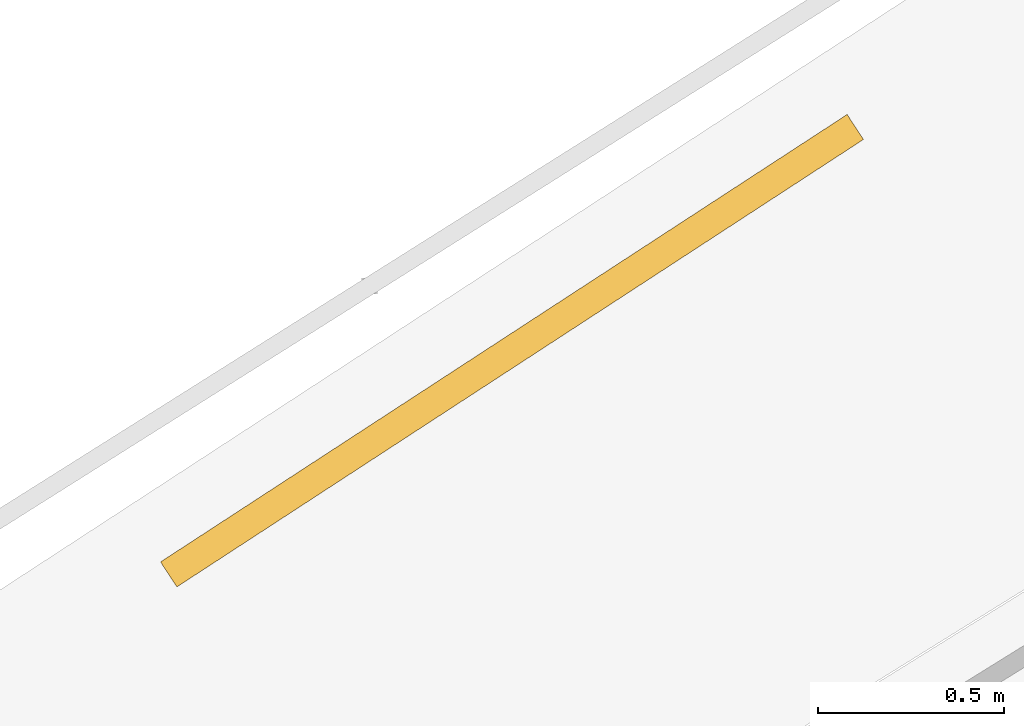
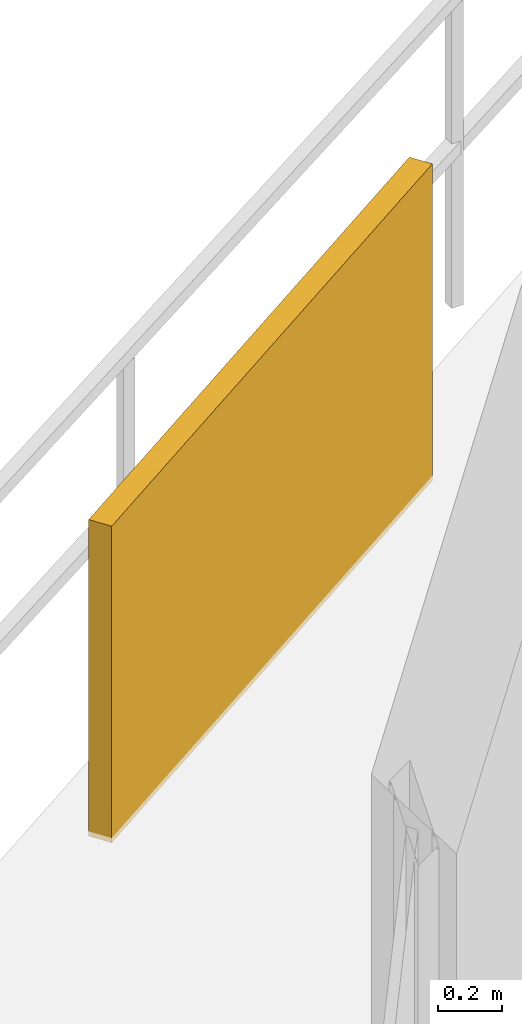
# One storey, part 28 of 29: 1 shading device.
"""IFC4 building model written with IfcOpenShell, lengths in metres."""

from ifc_helpers import new_model, si_unit, direction, frame, origin, origin_2d, place, context, subcontext, project, spatial, rectangle, extrude, material, type_object, element, save


model = new_model("IFC4")

# Units and contexts
model_context = context("Model", 3, precision=1e-05, world=origin(), true_north=direction((0.0, 1.0)))
body_context = subcontext(model_context, "Body", "Model", "MODEL_VIEW")
ifc_project = project(units=[si_unit("LENGTHUNIT", "METRE"), si_unit("AREAUNIT", "SQUARE_METRE"), si_unit("VOLUMEUNIT", "CUBIC_METRE"), si_unit("PLANEANGLEUNIT", "RADIAN"), si_unit("MASSUNIT", "GRAM", prefix="KILO")], contexts=[model_context])

# Site, building, storey
site_placement = place(None, origin())
site = spatial("IfcSite", under=ifc_project, at=site_placement, CompositionType="ELEMENT")
building_placement = place(site_placement, origin())
building = spatial("IfcBuilding", under=site, at=building_placement, Name="Vorneva Point Tower", CompositionType="ELEMENT")
storey_placement = place(building_placement, frame((0.0, 0.0, 273.300048828125)))
storey = spatial("IfcBuildingStorey", under=building, at=storey_placement, Name="L74", CompositionType="ELEMENT", Elevation=273.300048828125)

# Shading device
ifc_material = material(Name="Pale anodised aluminium", Category="aluminium")
shading_device_type = type_object("IfcShadingDeviceType", Name="SHD-JAL-1200", PredefinedType="JALOUSIE", material=ifc_material)
shading_device_placement = place(storey_placement, frame((20.123291015625, 42.0849609375, -0.02001953125), z_axis=(0.0, 0.0, 1.0), x_axis=(-0.837794958672, -0.545984988093, 0.0)))
element("IfcShadingDevice", 1, at=shading_device_placement, inside=storey, type_object=shading_device_type, Name="L74 Balcony Vertical-Greenery Planter Screen NW.2", PredefinedType="JALOUSIE", context=body_context, shape_type="SweptSolid", body=[
    extrude(rectangle(XDim=2.199951171875, YDim=0.080078125, at=origin_2d()), origin(), (0.0, 0.0, 1.0), 1.199951171875),
])

save(model, "model.ifc")
